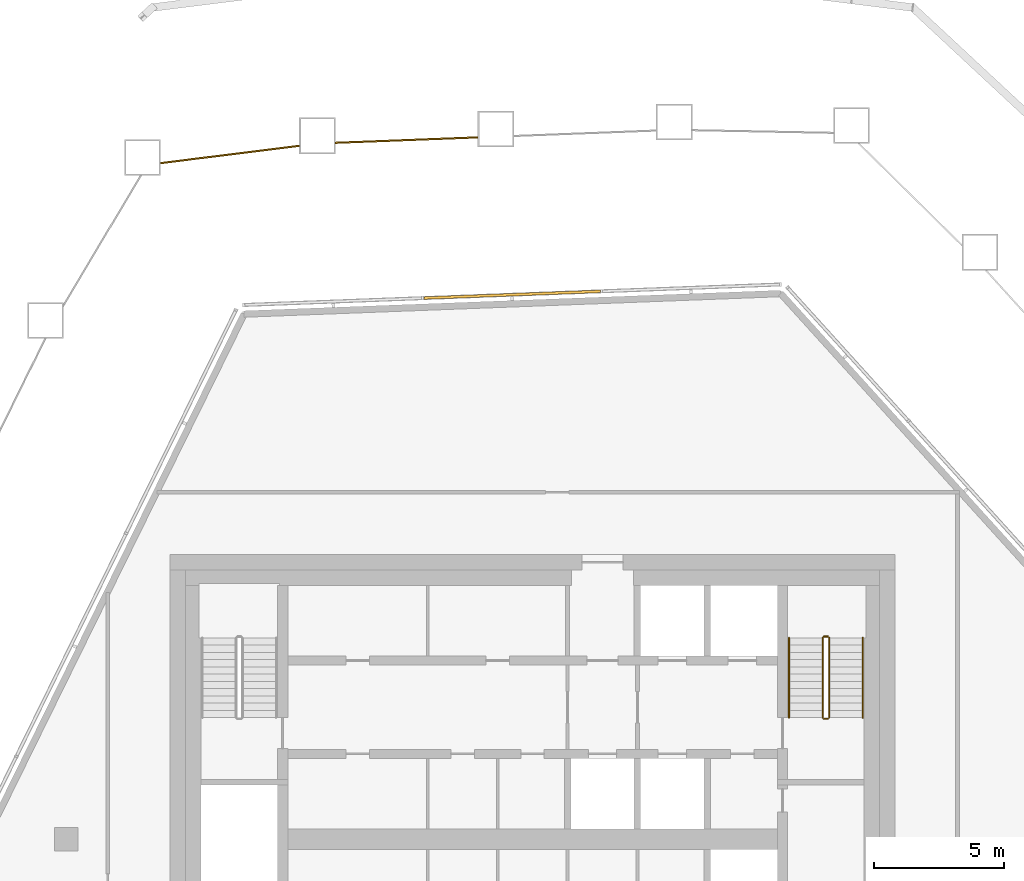
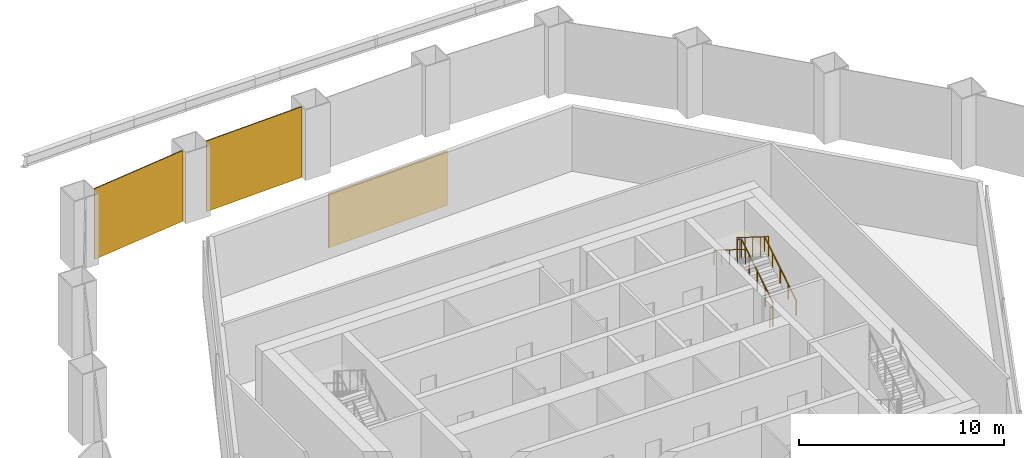
# One storey, part 17 of 18: 6 railings, 3 coverings, 1 element without a shape of its own.
"""IFC4 building model written with IfcOpenShell, lengths in metres."""

from ifc_helpers import new_model, si_unit, direction, frame, origin, origin_2d, place, context, subcontext, project, spatial, polyline, rectangle, circle, outline, extrude, material, layer, layer_set, type_object, element, aggregate, save


model = new_model("IFC4")

# Units and contexts
model_context = context("Model", 3, precision=1e-05, world=origin(), true_north=direction((0.0, 1.0)))
body_context = subcontext(model_context, "Body", "Model", "MODEL_VIEW")
ifc_project = project(units=[si_unit("LENGTHUNIT", "METRE"), si_unit("AREAUNIT", "SQUARE_METRE"), si_unit("VOLUMEUNIT", "CUBIC_METRE"), si_unit("PLANEANGLEUNIT", "RADIAN"), si_unit("MASSUNIT", "GRAM", prefix="KILO")], contexts=[model_context])

# Site, building, storey
site_placement = place(None, origin())
site = spatial("IfcSite", under=ifc_project, at=site_placement, CompositionType="ELEMENT")
building_placement = place(site_placement, origin())
building = spatial("IfcBuilding", under=site, at=building_placement, Name="Dongbaek Canopy Tower", CompositionType="ELEMENT")
storey_placement = place(building_placement, frame((0.0, 0.0, 371.60009765625)))
storey = spatial("IfcBuildingStorey", under=building, at=storey_placement, Name="L80", CompositionType="ELEMENT", Elevation=371.60009765625)

# Coverings
ifc_material_1 = material(Name="Perforated pale metal")
ifc_layer_1 = layer(ifc_material_1, 0.06005859375)
ifc_layer_set_1 = layer_set([ifc_layer_1], Name="Crown plant screen")
covering_type_1 = type_object("IfcCoveringType", Name="Crown plant screen", PredefinedType="CLADDING", material=ifc_layer_set_1)
covering_1_placement = place(storey_placement, origin())
element("IfcCovering", 1, at=covering_1_placement, inside=storey, type_object=covering_type_1, Name="Crown plant screen 20 L80", PredefinedType="CLADDING", context=body_context, shape_type="SweptSolid", body=[
    extrude(outline(polyline([(-2.117919921875, 27.131103515625), (-2.117919921875, 27.07080078125), (-7.60888671875, 26.860595703125), (-7.60888671875, 26.920654296875), (-2.117919921875, 27.131103515625)])), origin(), (0.0, 0.0, 1.0), 4.199951171875),
])
covering_2_placement = place(storey_placement, origin())
element("IfcCovering", 2, at=covering_2_placement, inside=storey, type_object=covering_type_1, Name="Crown plant screen 21 L80", PredefinedType="CLADDING", context=body_context, shape_type="SweptSolid", body=[
    extrude(outline(polyline([(-9.009033203125, 26.804443359375), (-9.009033203125, 26.744140625), (-14.362060546875, 26.07568359375), (-14.362060546875, 26.13623046875), (-9.009033203125, 26.804443359375)])), origin(), (0.0, 0.0, 1.0), 4.199951171875),
])

# Curtain wall, covering
ifc_material_2 = material(Name="Aluminium 6063-T6 pale anodised", Category="aluminium")
ifc_layer_2 = layer(ifc_material_2, 0.14990234375)
ifc_layer_set_2 = layer_set([ifc_layer_2], Name="CW-7 louvre curtain wall")
curtain_wall_type = type_object("IfcCurtainWallType", Name="CW-7 louvre curtain wall", PredefinedType="NOTDEFINED", material=ifc_layer_set_2)
curtain_wall_placement = place(storey_placement, origin())
curtain_wall = element("IfcCurtainWall", 3, at=curtain_wall_placement, inside=storey, type_object=curtain_wall_type, Name="CW-7 louvre wall L80 F3", PredefinedType="NOTDEFINED")
ifc_material_3 = material(Name="Aluminium 6063-T6 pale metal louvre blades", Category="aluminium")
ifc_layer_3 = layer(ifc_material_3, 0.10009765625)
ifc_layer_set_3 = layer_set([ifc_layer_3], Name="Louvre LV bank 100 x 3200")
covering_type_2 = type_object("IfcCoveringType", Name="Louvre LV bank 100 x 3200", PredefinedType="CLADDING", material=ifc_layer_set_3)
covering_3_placement = place(storey_placement, frame((-0.791015625, 21.02587890625, 0.2998046875), z_axis=(0.0, 0.0, 1.0), x_axis=(-0.999268890611, -0.038231979514, 0.0)))
covering_3 = element("IfcCovering", 4, at=covering_3_placement, type_object=covering_type_2, Name="Louvre L80 F3.1.2", PredefinedType="CLADDING", context=body_context, shape_type="SweptSolid", body=[
    extrude(rectangle(XDim=6.822265625, YDim=0.10009765625, at=origin_2d()), origin(), (0.0, 0.0, 1.0), 3.199951171875),
])
aggregate(curtain_wall, [covering_3])

# Railings
ifc_material_4 = material(Name="Stainless steel tube and balusters", Category="steel")
railing_type_1 = type_object("IfcRailingType", Name="Stair guard 1200", PredefinedType="GUARDRAIL", material=ifc_material_4)
railing_1_placement = place(storey_placement, frame((11.449951171875, 4.699951171875, 0.1748046875)))
element("IfcRailing", 5, at=railing_1_placement, inside=storey, type_object=railing_type_1, Name="L80 ST-A stair guard 1", PredefinedType="GUARDRAIL", context=body_context, shape_type="SweptSolid", body=[
    extrude(circle(Radius=0.02392578125, at=origin_2d()), frame((0.0, 0.0, 1.17578125), z_axis=(0.0, 0.847998304005, 0.529998940003), x_axis=(-1.0, 0.0, 0.0)), (0.0, 0.0, 1.0), 3.632080078125),
    extrude(circle(Radius=0.02099609375, at=origin_2d()), origin(), (0.0, 0.0, 1.0), 1.15185546875),
    extrude(circle(Radius=0.02099609375, at=origin_2d()), frame((0.0, 0.77001953125, 0.481201171875)), (0.0, 0.0, 1.0), 1.15185546875),
    extrude(circle(Radius=0.02099609375, at=origin_2d()), frame((0.0, 1.5400390625, 0.96240234375)), (0.0, 0.0, 1.0), 1.15185546875),
    extrude(circle(Radius=0.02099609375, at=origin_2d()), frame((0.0, 2.31005859375, 1.44384765625)), (0.0, 0.0, 1.0), 1.15185546875),
    extrude(circle(Radius=0.02099609375, at=origin_2d()), frame((0.0, 3.080078125, 1.925048828125)), (0.0, 0.0, 1.0), 1.15185546875),
])
railing_2_placement = place(storey_placement, frame((11.39990234375, 7.830078125, 2.099853515625)))
element("IfcRailing", 6, at=railing_2_placement, inside=storey, type_object=railing_type_1, Name="L80 ST-A stair guard 2", PredefinedType="GUARDRAIL", context=body_context, shape_type="SweptSolid", body=[
    extrude(circle(Radius=0.02392578125, at=origin_2d()), frame((0.0, 0.0, 1.17578125), z_axis=(-1.0, 0.0, 0.0), x_axis=(0.0, -1.0, 0.0)), (0.0, 0.0, 1.0), 0.14990234375),
    extrude(circle(Radius=0.02099609375, at=origin_2d()), origin(), (0.0, 0.0, 1.0), 1.15185546875),
    extrude(circle(Radius=0.02099609375, at=origin_2d()), frame((-0.14990234375, 0.0, 0.0)), (0.0, 0.0, 1.0), 1.15185546875),
])
railing_3_placement = place(storey_placement, frame((11.199951171875, 7.780029296875, 2.27490234375)))
element("IfcRailing", 7, at=railing_3_placement, inside=storey, type_object=railing_type_1, Name="L80 ST-A stair guard 3", PredefinedType="GUARDRAIL", context=body_context, shape_type="SweptSolid", body=[
    extrude(circle(Radius=0.02392578125, at=origin_2d()), frame((0.0, 0.0, 1.17578125), z_axis=(0.0, -0.847998304005, 0.529998940003), x_axis=(1.0, 0.0, 0.0)), (0.0, 0.0, 1.0), 3.632080078125),
    extrude(circle(Radius=0.02099609375, at=origin_2d()), origin(), (0.0, 0.0, 1.0), 1.15185546875),
    extrude(circle(Radius=0.02099609375, at=origin_2d()), frame((0.0, -0.77001953125, 0.481201171875)), (0.0, 0.0, 1.0), 1.15185546875),
    extrude(circle(Radius=0.02099609375, at=origin_2d()), frame((0.0, -1.5400390625, 0.96240234375)), (0.0, 0.0, 1.0), 1.15185546875),
    extrude(circle(Radius=0.02099609375, at=origin_2d()), frame((0.0, -2.31005859375, 1.44384765625)), (0.0, 0.0, 1.0), 1.15185546875),
    extrude(circle(Radius=0.02099609375, at=origin_2d()), frame((0.0, -3.080078125, 1.925048828125)), (0.0, 0.0, 1.0), 1.15185546875),
])
railing_4_placement = place(storey_placement, frame((11.39990234375, 4.64990234375, 0.0)))
element("IfcRailing", 8, at=railing_4_placement, inside=storey, type_object=railing_type_1, Name="L80 ST-A stair guard 4", PredefinedType="GUARDRAIL", context=body_context, shape_type="SweptSolid", body=[
    extrude(circle(Radius=0.02392578125, at=origin_2d()), frame((0.0, 0.0, 1.17578125), z_axis=(-1.0, 0.0, 0.0), x_axis=(0.0, -1.0, 0.0)), (0.0, 0.0, 1.0), 0.14990234375),
    extrude(circle(Radius=0.02099609375, at=origin_2d()), origin(), (0.0, 0.0, 1.0), 1.15185546875),
    extrude(circle(Radius=0.02099609375, at=origin_2d()), frame((-0.14990234375, 0.0, 0.0)), (0.0, 0.0, 1.0), 1.15185546875),
])
ifc_material_5 = material(Name="Stainless steel tube", Category="steel")
railing_type_2 = type_object("IfcRailingType", Name="Stair handrail 900", PredefinedType="HANDRAIL", material=ifc_material_5)
railing_5_placement = place(storey_placement, frame((12.75, 4.699951171875, 0.1748046875)))
element("IfcRailing", 9, at=railing_5_placement, inside=storey, type_object=railing_type_2, Name="L80 ST-A stair handrail 1", PredefinedType="HANDRAIL", context=body_context, shape_type="SweptSolid", body=[
    extrude(circle(Radius=0.02392578125, at=origin_2d()), frame((0.0, 0.0, 0.8759765625), z_axis=(0.0, 0.847998304005, 0.529998940003), x_axis=(-1.0, 0.0, 0.0)), (0.0, 0.0, 1.0), 3.632080078125),
    extrude(circle(Radius=0.02099609375, at=origin_2d()), origin(), (0.0, 0.0, 1.0), 0.851806640625),
    extrude(circle(Radius=0.02099609375, at=origin_2d()), frame((0.0, 0.77001953125, 0.481201171875)), (0.0, 0.0, 1.0), 0.851806640625),
    extrude(circle(Radius=0.02099609375, at=origin_2d()), frame((0.0, 1.5400390625, 0.96240234375)), (0.0, 0.0, 1.0), 0.851806640625),
    extrude(circle(Radius=0.02099609375, at=origin_2d()), frame((0.0, 2.31005859375, 1.44384765625)), (0.0, 0.0, 1.0), 0.851806640625),
    extrude(circle(Radius=0.02099609375, at=origin_2d()), frame((0.0, 3.080078125, 1.925048828125)), (0.0, 0.0, 1.0), 0.851806640625),
])
railing_6_placement = place(storey_placement, frame((9.89990234375, 7.780029296875, 2.27490234375)))
element("IfcRailing", 10, at=railing_6_placement, inside=storey, type_object=railing_type_2, Name="L80 ST-A stair handrail 2", PredefinedType="HANDRAIL", context=body_context, shape_type="SweptSolid", body=[
    extrude(circle(Radius=0.02392578125, at=origin_2d()), frame((0.0, 0.0, 0.8759765625), z_axis=(0.0, -0.847998304005, 0.529998940003), x_axis=(1.0, 0.0, 0.0)), (0.0, 0.0, 1.0), 3.632080078125),
    extrude(circle(Radius=0.02099609375, at=origin_2d()), origin(), (0.0, 0.0, 1.0), 0.851806640625),
    extrude(circle(Radius=0.02099609375, at=origin_2d()), frame((0.0, -0.77001953125, 0.481201171875)), (0.0, 0.0, 1.0), 0.851806640625),
    extrude(circle(Radius=0.02099609375, at=origin_2d()), frame((0.0, -1.5400390625, 0.96240234375)), (0.0, 0.0, 1.0), 0.851806640625),
    extrude(circle(Radius=0.02099609375, at=origin_2d()), frame((0.0, -2.31005859375, 1.44384765625)), (0.0, 0.0, 1.0), 0.851806640625),
    extrude(circle(Radius=0.02099609375, at=origin_2d()), frame((0.0, -3.080078125, 1.925048828125)), (0.0, 0.0, 1.0), 0.851806640625),
])

save(model, "model.ifc")
